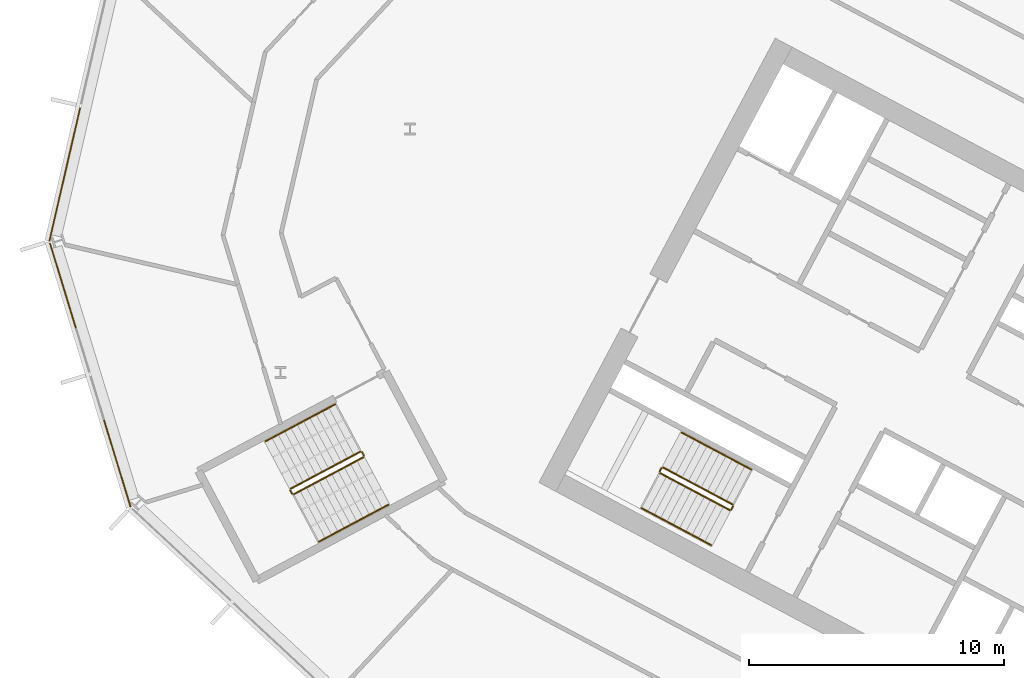
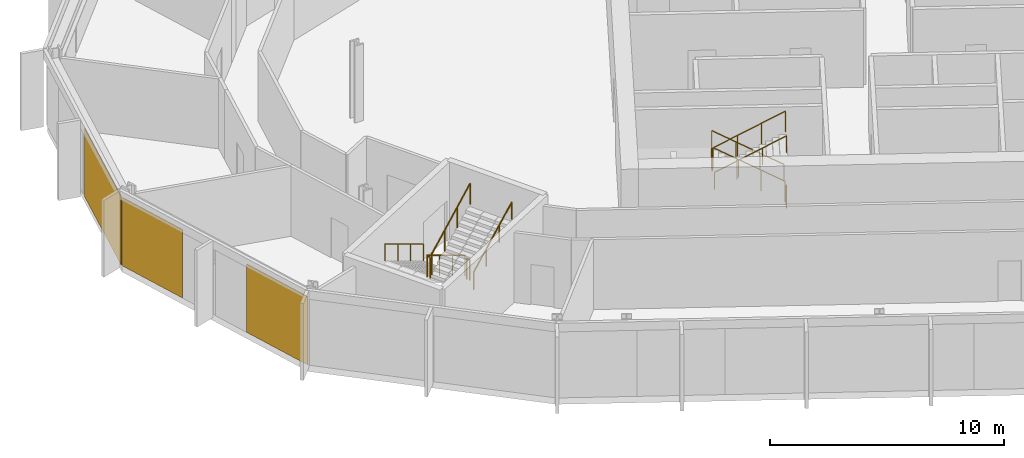
# One storey, part 21 of 28: 12 railings, 3 coverings, 2 elements without a shape of their own.
"""IFC4 building model written with IfcOpenShell, lengths in metres."""

from ifc_helpers import new_model, si_unit, direction, frame, origin, origin_2d, place, context, subcontext, project, spatial, polyline, rectangle, outline, extrude, material, layer, layer_set, type_object, element, aggregate, save


model = new_model("IFC4")

# Units and contexts
model_context = context("Model", 3, precision=1e-05, world=origin(), true_north=direction((0.0, 1.0)))
body_context = subcontext(model_context, "Body", "Model", "MODEL_VIEW")
ifc_project = project(units=[si_unit("LENGTHUNIT", "METRE"), si_unit("AREAUNIT", "SQUARE_METRE"), si_unit("VOLUMEUNIT", "CUBIC_METRE"), si_unit("PLANEANGLEUNIT", "RADIAN"), si_unit("MASSUNIT", "GRAM", prefix="KILO")], contexts=[model_context])

# Site, building, storey
site_placement = place(None, origin())
site = spatial("IfcSite", under=ifc_project, at=site_placement, CompositionType="ELEMENT")
building_placement = place(site_placement, origin())
building = spatial("IfcBuilding", under=site, at=building_placement, Name="Cormorant Relay Tower", CompositionType="ELEMENT")
storey_placement = place(building_placement, frame((0.0, 0.0, 162.199951171875)))
storey = spatial("IfcBuildingStorey", under=building, at=storey_placement, Name="L34", CompositionType="ELEMENT", Elevation=162.199951171875)

# Curtain wall, covering
ifc_material_1 = material(Name="Aluminium 6063-T6 anodised bronze", Category="aluminium")
ifc_layer_1 = layer(ifc_material_1, 0.199951171875)
ifc_layer_set_1 = layer_set([ifc_layer_1], Name="CW1 unitised bronze curtain wall with vertical fins")
curtain_wall_type = type_object("IfcCurtainWallType", Name="CW1 unitised bronze curtain wall with vertical fins", PredefinedType="NOTDEFINED", material=ifc_layer_set_1)
curtain_wall_1_placement = place(storey_placement, origin())
curtain_wall_1 = element("IfcCurtainWall", 1, at=curtain_wall_1_placement, inside=storey, type_object=curtain_wall_type, Name="CW1 curtain wall 13", PredefinedType="NOTDEFINED")
ifc_material_2 = material(Name="Pale bronze anodised aluminium insulated panel", Category="aluminium")
ifc_layer_2 = layer(ifc_material_2, 0.0400390625)
ifc_layer_set_2 = layer_set([ifc_layer_2], Name="CW1 pale bronze insulated panel 40")
covering_type = type_object("IfcCoveringType", Name="CW1 pale bronze insulated panel 40", PredefinedType="CLADDING", material=ifc_layer_set_2)
covering_1_placement = place(storey_placement, frame((-60.136474609375, 23.00927734375, 0.0), z_axis=(0.0, 0.0, 1.0), x_axis=(-0.224951054344, -0.974370064785, 0.0)))
covering_1 = element("IfcCovering", 2, at=covering_1_placement, type_object=covering_type, Name="CW1 panel S02", PredefinedType="CLADDING", context=body_context, shape_type="SweptSolid", body=[
    extrude(rectangle(XDim=5.360107421875, YDim=0.0400390625, at=origin_2d()), origin(), (0.0, 0.0, 1.0), 3.550048828125),
])
aggregate(curtain_wall_1, [covering_1])

# Curtain wall, coverings
curtain_wall_2_placement = place(storey_placement, origin())
curtain_wall_2 = element("IfcCurtainWall", 3, at=curtain_wall_2_placement, inside=storey, type_object=curtain_wall_type, Name="CW1 curtain wall 14", PredefinedType="NOTDEFINED")
covering_2_placement = place(storey_placement, frame((-60.20751953125, 18.6494140625, 0.0), z_axis=(0.0, 0.0, 1.0), x_axis=(0.292371704723, -0.956304755963, 0.0)))
covering_2 = element("IfcCovering", 4, at=covering_2_placement, type_object=covering_type, Name="CW1 panel S00", PredefinedType="CLADDING", context=body_context, shape_type="SweptSolid", body=[
    extrude(rectangle(XDim=3.485107421875, YDim=0.0400390625, at=origin_2d()), origin(), (0.0, 0.0, 1.0), 3.550048828125),
])
covering_3_placement = place(storey_placement, frame((-58.081298828125, 11.6943359375, 0.0), z_axis=(0.0, 0.0, 1.0), x_axis=(0.292371704723, -0.956304755963, 0.0)))
covering_3 = element("IfcCovering", 5, at=covering_3_placement, type_object=covering_type, Name="CW1 panel S03", PredefinedType="CLADDING", context=body_context, shape_type="SweptSolid", body=[
    extrude(rectangle(XDim=3.560302734375, YDim=0.0400390625, at=origin_2d()), origin(), (0.0, 0.0, 1.0), 3.550048828125),
])
aggregate(curtain_wall_2, [covering_2, covering_3])

# Railings
ifc_material_3 = material(Name="Steel ASTM A572 Grade 50 (Fy 345 MPa)", Category="steel")
railing_type_1 = type_object("IfcRailingType", Name="Stair guard 1100", PredefinedType="GUARDRAIL", material=ifc_material_3)
railing_1_placement = place(storey_placement, frame((-33.9921875, 10.08935546875, 0.166748046875)))
element("IfcRailing", 6, at=railing_1_placement, inside=storey, type_object=railing_type_1, Name="L34 A2 stair guard 1", PredefinedType="GUARDRAIL", context=body_context, shape_type="SweptSolid", body=[
    extrude(outline(polyline([(0.022216796875, 0.00927734375), (0.00927734375, 0.022216796875), (-0.00927734375, 0.022216796875), (-0.022216796875, 0.00927734375), (-0.022216796875, -0.00927734375), (-0.00927734375, -0.022216796875), (0.00927734375, -0.022216796875), (0.022216796875, -0.00927734375), (0.022216796875, 0.00927734375)])), frame((0.0, 0.0, 1.076171875), z_axis=(-0.758713656843, 0.403434867536, 0.511462505542), x_axis=(-0.469489399267, -0.882938108802, 0.0)), (0.0, 0.0, 1.0), 3.584228515625),
    extrude(outline(polyline([(0.019287109375, 0.008056640625), (0.008056640625, 0.019287109375), (-0.008056640625, 0.019287109375), (-0.019287109375, 0.008056640625), (-0.019287109375, -0.008056640625), (-0.008056640625, -0.019287109375), (0.008056640625, -0.019287109375), (0.019287109375, -0.008056640625), (0.019287109375, 0.008056640625)])), origin(), (0.0, 0.0, 1.0), 1.052001953125),
    extrude(outline(polyline([(0.019287109375, 0.008056640625), (0.008056640625, 0.019287109375), (-0.008056640625, 0.019287109375), (-0.019287109375, 0.008056640625), (-0.019287109375, -0.008056640625), (-0.008056640625, -0.019287109375), (0.008056640625, -0.019287109375), (0.019287109375, -0.008056640625), (0.019287109375, 0.008056640625)])), frame((-0.906494140625, 0.48193359375, 0.611083984375)), (0.0, 0.0, 1.0), 1.052001953125),
    extrude(outline(polyline([(0.019287109375, 0.008056640625), (0.008056640625, 0.019287109375), (-0.008056640625, 0.019287109375), (-0.019287109375, 0.008056640625), (-0.019287109375, -0.008056640625), (-0.008056640625, -0.019287109375), (0.008056640625, -0.019287109375), (0.019287109375, -0.008056640625), (0.019287109375, 0.008056640625)])), frame((-1.81298828125, 0.964111328125, 1.22216796875)), (0.0, 0.0, 1.0), 1.052001953125),
    extrude(outline(polyline([(0.019287109375, 0.008056640625), (0.008056640625, 0.019287109375), (-0.008056640625, 0.019287109375), (-0.019287109375, 0.008056640625), (-0.019287109375, -0.008056640625), (-0.008056640625, -0.019287109375), (0.008056640625, -0.019287109375), (0.019287109375, -0.008056640625), (0.019287109375, 0.008056640625)])), frame((-2.719482421875, 1.446044921875, 1.833251953125)), (0.0, 0.0, 1.0), 1.052001953125),
])
railing_2_placement = place(storey_placement, frame((-36.779296875, 11.5146484375, 2.0)))
element("IfcRailing", 7, at=railing_2_placement, inside=storey, type_object=railing_type_1, Name="L34 A2 stair guard 2", PredefinedType="GUARDRAIL", context=body_context, shape_type="SweptSolid", body=[
    extrude(outline(polyline([(0.022216796875, 0.00927734375), (0.00927734375, 0.022216796875), (-0.00927734375, 0.022216796875), (-0.022216796875, 0.00927734375), (-0.022216796875, -0.00927734375), (-0.00927734375, -0.022216796875), (0.00927734375, -0.022216796875), (0.022216796875, -0.00927734375), (0.022216796875, 0.00927734375)])), frame((0.0, 0.0, 1.076171875), z_axis=(-0.469234640946, -0.883073525669, 0.0), x_axis=(0.883073525669, -0.469234640946, 0.0)), (0.0, 0.0, 1.0), 0.14990234375),
    extrude(outline(polyline([(0.019287109375, 0.008056640625), (0.008056640625, 0.019287109375), (-0.008056640625, 0.019287109375), (-0.019287109375, 0.008056640625), (-0.019287109375, -0.008056640625), (-0.008056640625, -0.019287109375), (0.008056640625, -0.019287109375), (0.019287109375, -0.008056640625), (0.019287109375, 0.008056640625)])), origin(), (0.0, 0.0, 1.0), 1.052001953125),
    extrude(outline(polyline([(0.019287109375, 0.008056640625), (0.008056640625, 0.019287109375), (-0.008056640625, 0.019287109375), (-0.019287109375, 0.008056640625), (-0.019287109375, -0.008056640625), (-0.008056640625, -0.019287109375), (0.008056640625, -0.019287109375), (0.019287109375, -0.008056640625), (0.019287109375, 0.008056640625)])), frame((-0.0703125, -0.13232421875, 0.0)), (0.0, 0.0, 1.0), 1.052001953125),
])
railing_3_placement = place(storey_placement, frame((-36.8291015625, 11.314697265625, 2.166748046875)))
element("IfcRailing", 8, at=railing_3_placement, inside=storey, type_object=railing_type_1, Name="L34 A2 stair guard 3", PredefinedType="GUARDRAIL", context=body_context, shape_type="SweptSolid", body=[
    extrude(outline(polyline([(0.022216796875, 0.00927734375), (0.00927734375, 0.022216796875), (-0.00927734375, 0.022216796875), (-0.022216796875, 0.00927734375), (-0.022216796875, -0.00927734375), (-0.00927734375, -0.022216796875), (0.00927734375, -0.022216796875), (0.022216796875, -0.00927734375), (0.022216796875, 0.00927734375)])), frame((0.0, 0.0, 1.076171875), z_axis=(0.758713656843, -0.403434867536, 0.511462505542), x_axis=(0.469489399267, 0.882938108802, 0.0)), (0.0, 0.0, 1.0), 3.584228515625),
    extrude(outline(polyline([(0.019287109375, 0.008056640625), (0.008056640625, 0.019287109375), (-0.008056640625, 0.019287109375), (-0.019287109375, 0.008056640625), (-0.019287109375, -0.008056640625), (-0.008056640625, -0.019287109375), (0.008056640625, -0.019287109375), (0.019287109375, -0.008056640625), (0.019287109375, 0.008056640625)])), origin(), (0.0, 0.0, 1.0), 1.052001953125),
    extrude(outline(polyline([(0.019287109375, 0.008056640625), (0.008056640625, 0.019287109375), (-0.008056640625, 0.019287109375), (-0.019287109375, 0.008056640625), (-0.019287109375, -0.008056640625), (-0.008056640625, -0.019287109375), (0.008056640625, -0.019287109375), (0.019287109375, -0.008056640625), (0.019287109375, 0.008056640625)])), frame((0.906494140625, -0.48193359375, 0.611083984375)), (0.0, 0.0, 1.0), 1.052001953125),
    extrude(outline(polyline([(0.019287109375, 0.008056640625), (0.008056640625, 0.019287109375), (-0.008056640625, 0.019287109375), (-0.019287109375, 0.008056640625), (-0.019287109375, -0.008056640625), (-0.008056640625, -0.019287109375), (0.008056640625, -0.019287109375), (0.019287109375, -0.008056640625), (0.019287109375, 0.008056640625)])), frame((1.81298828125, -0.964111328125, 1.22216796875)), (0.0, 0.0, 1.0), 1.052001953125),
    extrude(outline(polyline([(0.019287109375, 0.008056640625), (0.008056640625, 0.019287109375), (-0.008056640625, 0.019287109375), (-0.019287109375, 0.008056640625), (-0.019287109375, -0.008056640625), (-0.008056640625, -0.019287109375), (0.008056640625, -0.019287109375), (0.019287109375, -0.008056640625), (0.019287109375, 0.008056640625)])), frame((2.719482421875, -1.446044921875, 1.833251953125)), (0.0, 0.0, 1.0), 1.052001953125),
])
railing_4_placement = place(storey_placement, frame((-33.971435546875, 10.021728515625, 0.0)))
element("IfcRailing", 9, at=railing_4_placement, inside=storey, type_object=railing_type_1, Name="L34 A2 stair guard 4", PredefinedType="GUARDRAIL", context=body_context, shape_type="SweptSolid", body=[
    extrude(outline(polyline([(0.022216796875, 0.00927734375), (0.00927734375, 0.022216796875), (-0.00927734375, 0.022216796875), (-0.022216796875, 0.00927734375), (-0.022216796875, -0.00927734375), (-0.00927734375, -0.022216796875), (0.00927734375, -0.022216796875), (0.022216796875, -0.00927734375), (0.022216796875, 0.00927734375)])), frame((0.0, 0.0, 1.076171875), z_axis=(-0.470503732759, -0.882398003998, 0.0), x_axis=(0.882398003998, -0.470503732759, 0.0)), (0.0, 0.0, 1.0), 0.14990234375),
    extrude(outline(polyline([(0.019287109375, 0.008056640625), (0.008056640625, 0.019287109375), (-0.008056640625, 0.019287109375), (-0.019287109375, 0.008056640625), (-0.019287109375, -0.008056640625), (-0.008056640625, -0.019287109375), (0.008056640625, -0.019287109375), (0.019287109375, -0.008056640625), (0.019287109375, 0.008056640625)])), origin(), (0.0, 0.0, 1.0), 1.052001953125),
    extrude(outline(polyline([(0.019287109375, 0.008056640625), (0.008056640625, 0.019287109375), (-0.008056640625, 0.019287109375), (-0.019287109375, 0.008056640625), (-0.019287109375, -0.008056640625), (-0.008056640625, -0.019287109375), (0.008056640625, -0.019287109375), (0.019287109375, -0.008056640625), (0.019287109375, 0.008056640625)])), frame((-0.070556640625, -0.13232421875, 0.0)), (0.0, 0.0, 1.0), 1.052001953125),
])
railing_5_placement = place(storey_placement, frame((-48.5693359375, 12.155517578125, 0.166748046875)))
element("IfcRailing", 10, at=railing_5_placement, inside=storey, type_object=railing_type_1, Name="L34 RP1 stair guard 1", PredefinedType="GUARDRAIL", context=body_context, shape_type="SweptSolid", body=[
    extrude(outline(polyline([(0.022216796875, 0.00927734375), (0.00927734375, 0.022216796875), (-0.00927734375, 0.022216796875), (-0.022216796875, 0.00927734375), (-0.022216796875, -0.00927734375), (-0.00927734375, -0.022216796875), (0.00927734375, -0.022216796875), (0.022216796875, -0.00927734375), (0.022216796875, 0.00927734375)])), frame((0.0, 0.0, 1.076171875), z_axis=(-0.758713656843, -0.403434867536, 0.511462505542), x_axis=(0.469489399267, -0.882938108802, 0.0)), (0.0, 0.0, 1.0), 3.584228515625),
    extrude(outline(polyline([(0.019287109375, 0.008056640625), (0.008056640625, 0.019287109375), (-0.008056640625, 0.019287109375), (-0.019287109375, 0.008056640625), (-0.019287109375, -0.008056640625), (-0.008056640625, -0.019287109375), (0.008056640625, -0.019287109375), (0.019287109375, -0.008056640625), (0.019287109375, 0.008056640625)])), origin(), (0.0, 0.0, 1.0), 1.052001953125),
    extrude(outline(polyline([(0.019287109375, 0.008056640625), (0.008056640625, 0.019287109375), (-0.008056640625, 0.019287109375), (-0.019287109375, 0.008056640625), (-0.019287109375, -0.008056640625), (-0.008056640625, -0.019287109375), (0.008056640625, -0.019287109375), (0.019287109375, -0.008056640625), (0.019287109375, 0.008056640625)])), frame((-0.906494140625, -0.48193359375, 0.611083984375)), (0.0, 0.0, 1.0), 1.052001953125),
    extrude(outline(polyline([(0.019287109375, 0.008056640625), (0.008056640625, 0.019287109375), (-0.008056640625, 0.019287109375), (-0.019287109375, 0.008056640625), (-0.019287109375, -0.008056640625), (-0.008056640625, -0.019287109375), (0.008056640625, -0.019287109375), (0.019287109375, -0.008056640625), (0.019287109375, 0.008056640625)])), frame((-1.81298828125, -0.964111328125, 1.22216796875)), (0.0, 0.0, 1.0), 1.052001953125),
    extrude(outline(polyline([(0.019287109375, 0.008056640625), (0.008056640625, 0.019287109375), (-0.008056640625, 0.019287109375), (-0.019287109375, 0.008056640625), (-0.019287109375, -0.008056640625), (-0.008056640625, -0.019287109375), (0.008056640625, -0.019287109375), (0.019287109375, -0.008056640625), (0.019287109375, 0.008056640625)])), frame((-2.719482421875, -1.446044921875, 1.833251953125)), (0.0, 0.0, 1.0), 1.052001953125),
])
railing_6_placement = place(storey_placement, frame((-51.3095703125, 10.641845703125, 2.0)))
element("IfcRailing", 11, at=railing_6_placement, inside=storey, type_object=railing_type_1, Name="L34 RP1 stair guard 2", PredefinedType="GUARDRAIL", context=body_context, shape_type="SweptSolid", body=[
    extrude(outline(polyline([(0.022216796875, 0.00927734375), (0.00927734375, 0.022216796875), (-0.00927734375, 0.022216796875), (-0.022216796875, 0.00927734375), (-0.022216796875, -0.00927734375), (-0.00927734375, -0.022216796875), (0.00927734375, -0.022216796875), (0.022216796875, -0.00927734375), (0.022216796875, 0.00927734375)])), frame((0.0, 0.0, 1.076171875), z_axis=(0.469828648786, -0.882757634224, 0.0), x_axis=(0.882757634224, 0.469828648786, 0.0)), (0.0, 0.0, 1.0), 0.150146484375),
    extrude(outline(polyline([(0.019287109375, 0.008056640625), (0.008056640625, 0.019287109375), (-0.008056640625, 0.019287109375), (-0.019287109375, 0.008056640625), (-0.019287109375, -0.008056640625), (-0.008056640625, -0.019287109375), (0.008056640625, -0.019287109375), (0.019287109375, -0.008056640625), (0.019287109375, 0.008056640625)])), origin(), (0.0, 0.0, 1.0), 1.052001953125),
    extrude(outline(polyline([(0.019287109375, 0.008056640625), (0.008056640625, 0.019287109375), (-0.008056640625, 0.019287109375), (-0.019287109375, 0.008056640625), (-0.019287109375, -0.008056640625), (-0.008056640625, -0.019287109375), (0.008056640625, -0.019287109375), (0.019287109375, -0.008056640625), (0.019287109375, 0.008056640625)])), frame((0.070556640625, -0.132568359375, 0.0)), (0.0, 0.0, 1.0), 1.052001953125),
])
railing_7_placement = place(storey_placement, frame((-51.17138671875, 10.48876953125, 2.166748046875)))
element("IfcRailing", 12, at=railing_7_placement, inside=storey, type_object=railing_type_1, Name="L34 RP1 stair guard 3", PredefinedType="GUARDRAIL", context=body_context, shape_type="SweptSolid", body=[
    extrude(outline(polyline([(0.022216796875, 0.00927734375), (0.00927734375, 0.022216796875), (-0.00927734375, 0.022216796875), (-0.022216796875, 0.00927734375), (-0.022216796875, -0.00927734375), (-0.00927734375, -0.022216796875), (0.00927734375, -0.022216796875), (0.022216796875, -0.00927734375), (0.022216796875, 0.00927734375)])), frame((0.0, 0.0, 1.076171875), z_axis=(0.758734504837, 0.403377838015, 0.511476559549), x_axis=(-0.469427602063, 0.882970965786, 0.0)), (0.0, 0.0, 1.0), 3.584228515625),
    extrude(outline(polyline([(0.019287109375, 0.008056640625), (0.008056640625, 0.019287109375), (-0.008056640625, 0.019287109375), (-0.019287109375, 0.008056640625), (-0.019287109375, -0.008056640625), (-0.008056640625, -0.019287109375), (0.008056640625, -0.019287109375), (0.019287109375, -0.008056640625), (0.019287109375, 0.008056640625)])), origin(), (0.0, 0.0, 1.0), 1.052001953125),
    extrude(outline(polyline([(0.019287109375, 0.008056640625), (0.008056640625, 0.019287109375), (-0.008056640625, 0.019287109375), (-0.019287109375, 0.008056640625), (-0.019287109375, -0.008056640625), (-0.008056640625, -0.019287109375), (0.008056640625, -0.019287109375), (0.019287109375, -0.008056640625), (0.019287109375, 0.008056640625)])), frame((0.906494140625, 0.48193359375, 0.611083984375)), (0.0, 0.0, 1.0), 1.052001953125),
    extrude(outline(polyline([(0.019287109375, 0.008056640625), (0.008056640625, 0.019287109375), (-0.008056640625, 0.019287109375), (-0.019287109375, 0.008056640625), (-0.019287109375, -0.008056640625), (-0.008056640625, -0.019287109375), (0.008056640625, -0.019287109375), (0.019287109375, -0.008056640625), (0.019287109375, 0.008056640625)])), frame((1.81298828125, 0.9638671875, 1.22216796875)), (0.0, 0.0, 1.0), 1.052001953125),
    extrude(outline(polyline([(0.019287109375, 0.008056640625), (0.008056640625, 0.019287109375), (-0.008056640625, 0.019287109375), (-0.019287109375, 0.008056640625), (-0.019287109375, -0.008056640625), (-0.008056640625, -0.019287109375), (0.008056640625, -0.019287109375), (0.019287109375, -0.008056640625), (0.019287109375, 0.008056640625)])), frame((2.719482421875, 1.44580078125, 1.833251953125)), (0.0, 0.0, 1.0), 1.052001953125),
])
railing_8_placement = place(storey_placement, frame((-48.501708984375, 12.134765625, 0.0)))
element("IfcRailing", 13, at=railing_8_placement, inside=storey, type_object=railing_type_1, Name="L34 RP1 stair guard 4", PredefinedType="GUARDRAIL", context=body_context, shape_type="SweptSolid", body=[
    extrude(outline(polyline([(0.022216796875, 0.00927734375), (0.00927734375, 0.022216796875), (-0.00927734375, 0.022216796875), (-0.022216796875, 0.00927734375), (-0.022216796875, -0.00927734375), (-0.00927734375, -0.022216796875), (0.00927734375, -0.022216796875), (0.022216796875, -0.00927734375), (0.022216796875, 0.00927734375)])), frame((0.0, 0.0, 1.076171875), z_axis=(0.46856034887, -0.8834314911, 0.0), x_axis=(0.8834314911, 0.46856034887, 0.0)), (0.0, 0.0, 1.0), 0.150146484375),
    extrude(outline(polyline([(0.019287109375, 0.008056640625), (0.008056640625, 0.019287109375), (-0.008056640625, 0.019287109375), (-0.019287109375, 0.008056640625), (-0.019287109375, -0.008056640625), (-0.008056640625, -0.019287109375), (0.008056640625, -0.019287109375), (0.019287109375, -0.008056640625), (0.019287109375, 0.008056640625)])), origin(), (0.0, 0.0, 1.0), 1.052001953125),
    extrude(outline(polyline([(0.019287109375, 0.008056640625), (0.008056640625, 0.019287109375), (-0.008056640625, 0.019287109375), (-0.019287109375, 0.008056640625), (-0.019287109375, -0.008056640625), (-0.008056640625, -0.019287109375), (0.008056640625, -0.019287109375), (0.019287109375, -0.008056640625), (0.019287109375, 0.008056640625)])), frame((0.0703125, -0.132568359375, 0.0)), (0.0, 0.0, 1.0), 1.052001953125),
])
ifc_material_4 = material(Name="Steel ASTM A572 Grade 50 (Fy 345 MPa)", Category="steel")
railing_type_2 = type_object("IfcRailingType", Name="Stair handrail 900", PredefinedType="HANDRAIL", material=ifc_material_4)
railing_9_placement = place(storey_placement, frame((-33.264404296875, 11.4580078125, 0.166748046875)))
element("IfcRailing", 14, at=railing_9_placement, inside=storey, type_object=railing_type_2, Name="L34 A2 stair handrail 1", PredefinedType="HANDRAIL", context=body_context, shape_type="SweptSolid", body=[
    extrude(outline(polyline([(0.022216796875, 0.00927734375), (0.00927734375, 0.022216796875), (-0.00927734375, 0.022216796875), (-0.022216796875, 0.00927734375), (-0.022216796875, -0.00927734375), (-0.00927734375, -0.022216796875), (0.00927734375, -0.022216796875), (0.022216796875, -0.00927734375), (0.022216796875, 0.00927734375)])), frame((0.0, 0.0, 0.8759765625), z_axis=(-0.758734504837, 0.403377838015, 0.511476559549), x_axis=(-0.469427602063, -0.882970965786, 0.0)), (0.0, 0.0, 1.0), 3.584228515625),
    extrude(outline(polyline([(0.019287109375, 0.008056640625), (0.008056640625, 0.019287109375), (-0.008056640625, 0.019287109375), (-0.019287109375, 0.008056640625), (-0.019287109375, -0.008056640625), (-0.008056640625, -0.019287109375), (0.008056640625, -0.019287109375), (0.019287109375, -0.008056640625), (0.019287109375, 0.008056640625)])), origin(), (0.0, 0.0, 1.0), 0.851806640625),
    extrude(outline(polyline([(0.019287109375, 0.008056640625), (0.008056640625, 0.019287109375), (-0.008056640625, 0.019287109375), (-0.019287109375, 0.008056640625), (-0.019287109375, -0.008056640625), (-0.008056640625, -0.019287109375), (0.008056640625, -0.019287109375), (0.019287109375, -0.008056640625), (0.019287109375, 0.008056640625)])), frame((-0.906494140625, 0.48193359375, 0.611083984375)), (0.0, 0.0, 1.0), 0.851806640625),
    extrude(outline(polyline([(0.019287109375, 0.008056640625), (0.008056640625, 0.019287109375), (-0.008056640625, 0.019287109375), (-0.019287109375, 0.008056640625), (-0.019287109375, -0.008056640625), (-0.008056640625, -0.019287109375), (0.008056640625, -0.019287109375), (0.019287109375, -0.008056640625), (0.019287109375, 0.008056640625)])), frame((-1.81298828125, 0.9638671875, 1.22216796875)), (0.0, 0.0, 1.0), 0.851806640625),
    extrude(outline(polyline([(0.019287109375, 0.008056640625), (0.008056640625, 0.019287109375), (-0.008056640625, 0.019287109375), (-0.019287109375, 0.008056640625), (-0.019287109375, -0.008056640625), (-0.008056640625, -0.019287109375), (0.008056640625, -0.019287109375), (0.019287109375, -0.008056640625), (0.019287109375, 0.008056640625)])), frame((-2.719482421875, 1.44580078125, 1.833251953125)), (0.0, 0.0, 1.0), 0.851806640625),
])
railing_10_placement = place(storey_placement, frame((-37.556640625, 9.946044921875, 2.166748046875)))
element("IfcRailing", 15, at=railing_10_placement, inside=storey, type_object=railing_type_2, Name="L34 A2 stair handrail 2", PredefinedType="HANDRAIL", context=body_context, shape_type="SweptSolid", body=[
    extrude(outline(polyline([(0.022216796875, 0.00927734375), (0.00927734375, 0.022216796875), (-0.00927734375, 0.022216796875), (-0.022216796875, 0.00927734375), (-0.022216796875, -0.00927734375), (-0.00927734375, -0.022216796875), (0.00927734375, -0.022216796875), (0.022216796875, -0.00927734375), (0.022216796875, 0.00927734375)])), frame((0.0, 0.0, 0.8759765625), z_axis=(0.758713656843, -0.403434867536, 0.511462505542), x_axis=(0.469489399267, 0.882938108802, 0.0)), (0.0, 0.0, 1.0), 3.584228515625),
    extrude(outline(polyline([(0.019287109375, 0.008056640625), (0.008056640625, 0.019287109375), (-0.008056640625, 0.019287109375), (-0.019287109375, 0.008056640625), (-0.019287109375, -0.008056640625), (-0.008056640625, -0.019287109375), (0.008056640625, -0.019287109375), (0.019287109375, -0.008056640625), (0.019287109375, 0.008056640625)])), origin(), (0.0, 0.0, 1.0), 0.851806640625),
    extrude(outline(polyline([(0.019287109375, 0.008056640625), (0.008056640625, 0.019287109375), (-0.008056640625, 0.019287109375), (-0.019287109375, 0.008056640625), (-0.019287109375, -0.008056640625), (-0.008056640625, -0.019287109375), (0.008056640625, -0.019287109375), (0.019287109375, -0.008056640625), (0.019287109375, 0.008056640625)])), frame((0.906494140625, -0.48193359375, 0.611083984375)), (0.0, 0.0, 1.0), 0.851806640625),
    extrude(outline(polyline([(0.019287109375, 0.008056640625), (0.008056640625, 0.019287109375), (-0.008056640625, 0.019287109375), (-0.019287109375, 0.008056640625), (-0.019287109375, -0.008056640625), (-0.008056640625, -0.019287109375), (0.008056640625, -0.019287109375), (0.019287109375, -0.008056640625), (0.019287109375, 0.008056640625)])), frame((1.81298828125, -0.964111328125, 1.22216796875)), (0.0, 0.0, 1.0), 0.851806640625),
    extrude(outline(polyline([(0.019287109375, 0.008056640625), (0.008056640625, 0.019287109375), (-0.008056640625, 0.019287109375), (-0.019287109375, 0.008056640625), (-0.019287109375, -0.008056640625), (-0.008056640625, -0.019287109375), (0.008056640625, -0.019287109375), (0.019287109375, -0.008056640625), (0.019287109375, 0.008056640625)])), frame((2.719482421875, -1.446044921875, 1.833251953125)), (0.0, 0.0, 1.0), 0.851806640625),
])
railing_11_placement = place(storey_placement, frame((-49.55517578125, 14.009521484375, 0.166748046875)))
element("IfcRailing", 16, at=railing_11_placement, inside=storey, type_object=railing_type_2, Name="L34 RP1 stair handrail 1", PredefinedType="HANDRAIL", context=body_context, shape_type="SweptSolid", body=[
    extrude(outline(polyline([(0.022216796875, 0.00927734375), (0.00927734375, 0.022216796875), (-0.00927734375, 0.022216796875), (-0.022216796875, 0.00927734375), (-0.022216796875, -0.00927734375), (-0.00927734375, -0.022216796875), (0.00927734375, -0.022216796875), (0.022216796875, -0.00927734375), (0.022216796875, 0.00927734375)])), frame((0.0, 0.0, 0.8759765625), z_axis=(-0.758734504837, -0.403377838015, 0.511476559549), x_axis=(0.469427602063, -0.882970965786, 0.0)), (0.0, 0.0, 1.0), 3.584228515625),
    extrude(outline(polyline([(0.019287109375, 0.008056640625), (0.008056640625, 0.019287109375), (-0.008056640625, 0.019287109375), (-0.019287109375, 0.008056640625), (-0.019287109375, -0.008056640625), (-0.008056640625, -0.019287109375), (0.008056640625, -0.019287109375), (0.019287109375, -0.008056640625), (0.019287109375, 0.008056640625)])), origin(), (0.0, 0.0, 1.0), 0.851806640625),
    extrude(outline(polyline([(0.019287109375, 0.008056640625), (0.008056640625, 0.019287109375), (-0.008056640625, 0.019287109375), (-0.019287109375, 0.008056640625), (-0.019287109375, -0.008056640625), (-0.008056640625, -0.019287109375), (0.008056640625, -0.019287109375), (0.019287109375, -0.008056640625), (0.019287109375, 0.008056640625)])), frame((-0.906494140625, -0.48193359375, 0.611083984375)), (0.0, 0.0, 1.0), 0.851806640625),
    extrude(outline(polyline([(0.019287109375, 0.008056640625), (0.008056640625, 0.019287109375), (-0.008056640625, 0.019287109375), (-0.019287109375, 0.008056640625), (-0.019287109375, -0.008056640625), (-0.008056640625, -0.019287109375), (0.008056640625, -0.019287109375), (0.019287109375, -0.008056640625), (0.019287109375, 0.008056640625)])), frame((-1.81298828125, -0.9638671875, 1.22216796875)), (0.0, 0.0, 1.0), 0.851806640625),
    extrude(outline(polyline([(0.019287109375, 0.008056640625), (0.008056640625, 0.019287109375), (-0.008056640625, 0.019287109375), (-0.019287109375, 0.008056640625), (-0.019287109375, -0.008056640625), (-0.008056640625, -0.019287109375), (0.008056640625, -0.019287109375), (0.019287109375, -0.008056640625), (0.019287109375, 0.008056640625)])), frame((-2.719482421875, -1.44580078125, 1.833251953125)), (0.0, 0.0, 1.0), 0.851806640625),
])
railing_12_placement = place(storey_placement, frame((-50.185546875, 8.634521484375, 2.166748046875)))
element("IfcRailing", 17, at=railing_12_placement, inside=storey, type_object=railing_type_2, Name="L34 RP1 stair handrail 2", PredefinedType="HANDRAIL", context=body_context, shape_type="SweptSolid", body=[
    extrude(outline(polyline([(0.022216796875, 0.00927734375), (0.00927734375, 0.022216796875), (-0.00927734375, 0.022216796875), (-0.022216796875, 0.00927734375), (-0.022216796875, -0.00927734375), (-0.00927734375, -0.022216796875), (0.00927734375, -0.022216796875), (0.022216796875, -0.00927734375), (0.022216796875, 0.00927734375)])), frame((0.0, 0.0, 0.8759765625), z_axis=(0.758713656843, 0.403434867536, 0.511462505542), x_axis=(-0.469489399267, 0.882938108802, 0.0)), (0.0, 0.0, 1.0), 3.584228515625),
    extrude(outline(polyline([(0.019287109375, 0.008056640625), (0.008056640625, 0.019287109375), (-0.008056640625, 0.019287109375), (-0.019287109375, 0.008056640625), (-0.019287109375, -0.008056640625), (-0.008056640625, -0.019287109375), (0.008056640625, -0.019287109375), (0.019287109375, -0.008056640625), (0.019287109375, 0.008056640625)])), origin(), (0.0, 0.0, 1.0), 0.851806640625),
    extrude(outline(polyline([(0.019287109375, 0.008056640625), (0.008056640625, 0.019287109375), (-0.008056640625, 0.019287109375), (-0.019287109375, 0.008056640625), (-0.019287109375, -0.008056640625), (-0.008056640625, -0.019287109375), (0.008056640625, -0.019287109375), (0.019287109375, -0.008056640625), (0.019287109375, 0.008056640625)])), frame((0.906494140625, 0.48193359375, 0.611083984375)), (0.0, 0.0, 1.0), 0.851806640625),
    extrude(outline(polyline([(0.019287109375, 0.008056640625), (0.008056640625, 0.019287109375), (-0.008056640625, 0.019287109375), (-0.019287109375, 0.008056640625), (-0.019287109375, -0.008056640625), (-0.008056640625, -0.019287109375), (0.008056640625, -0.019287109375), (0.019287109375, -0.008056640625), (0.019287109375, 0.008056640625)])), frame((1.81298828125, 0.964111328125, 1.22216796875)), (0.0, 0.0, 1.0), 0.851806640625),
    extrude(outline(polyline([(0.019287109375, 0.008056640625), (0.008056640625, 0.019287109375), (-0.008056640625, 0.019287109375), (-0.019287109375, 0.008056640625), (-0.019287109375, -0.008056640625), (-0.008056640625, -0.019287109375), (0.008056640625, -0.019287109375), (0.019287109375, -0.008056640625), (0.019287109375, 0.008056640625)])), frame((2.719482421875, 1.446044921875, 1.833251953125)), (0.0, 0.0, 1.0), 0.851806640625),
])

save(model, "model.ifc")
